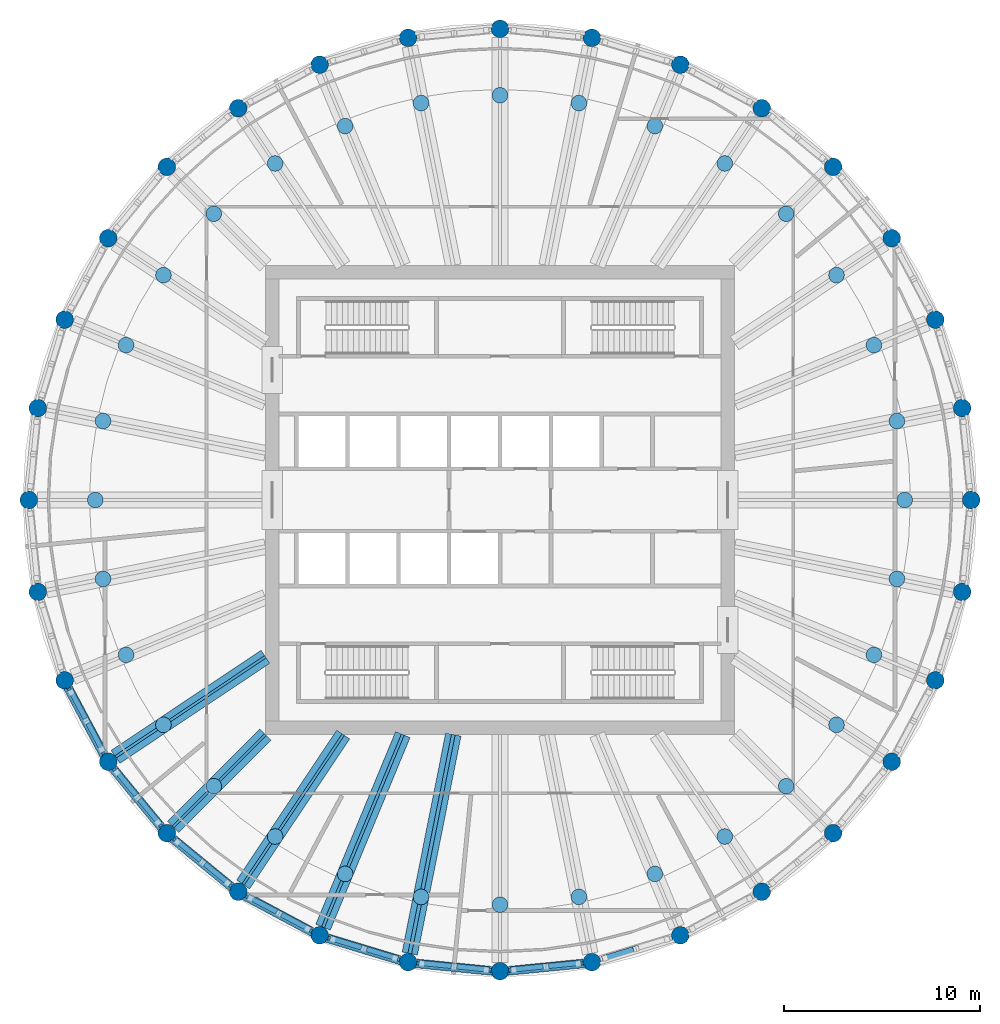
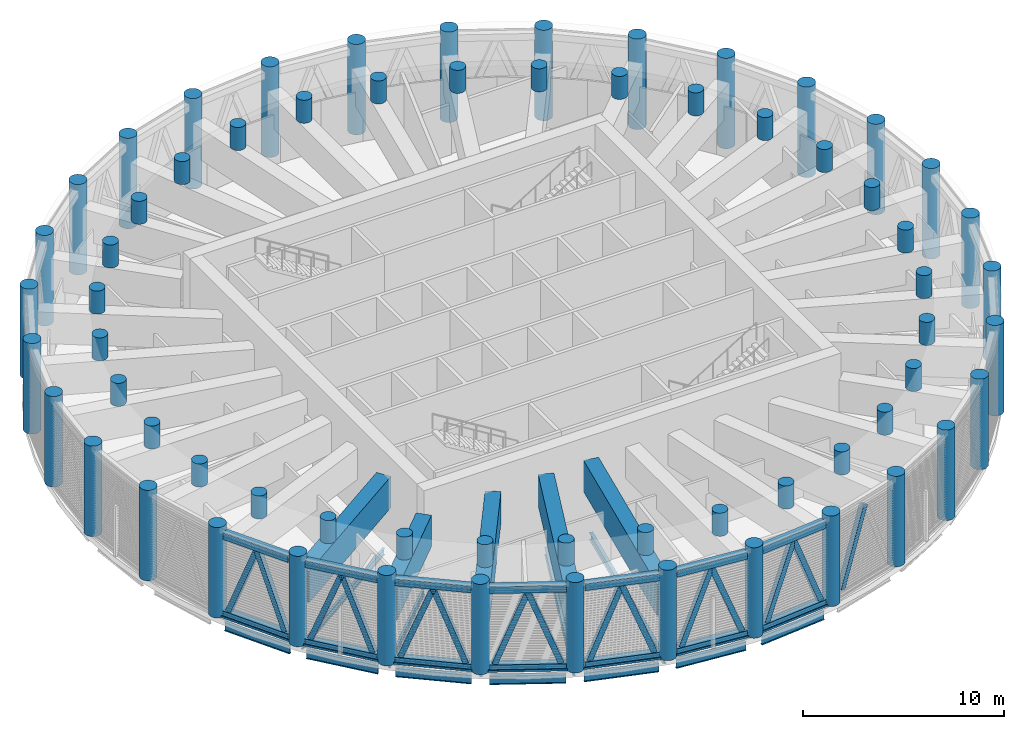
# One storey, part 1 of 19: 64 columns, 36 members, 17 beams, 7 elements without a shape of their own.
"""IFC4 building model written with IfcOpenShell, lengths in metres."""

from ifc_helpers import new_model, si_unit, direction, frame, origin, origin_2d, place, context, subcontext, project, spatial, rectangle, hollow_rectangle, circle, i_section, extrude, material, material_profile, profile_set, type_object, element, aggregate, save


model = new_model("IFC4")

# Units and contexts
model_context = context("Model", 3, precision=1e-05, world=origin(), true_north=direction((0.0, 1.0)))
body_context = subcontext(model_context, "Body", "Model", "MODEL_VIEW")
ifc_project = project(units=[si_unit("LENGTHUNIT", "METRE"), si_unit("AREAUNIT", "SQUARE_METRE"), si_unit("VOLUMEUNIT", "CUBIC_METRE"), si_unit("PLANEANGLEUNIT", "RADIAN"), si_unit("MASSUNIT", "GRAM", prefix="KILO")], contexts=[model_context])

# Site, building, storey
site_placement = place(None, origin())
site = spatial("IfcSite", under=ifc_project, at=site_placement, CompositionType="ELEMENT")
building_placement = place(site_placement, origin())
building = spatial("IfcBuilding", under=site, at=building_placement, Name="Corvane Civic Tower", CompositionType="ELEMENT")
storey_placement = place(building_placement, frame((0.0, 0.0, 319.0)))
storey = spatial("IfcBuildingStorey", under=building, at=storey_placement, Name="L76", CompositionType="ELEMENT", Elevation=319.0)

# Columns
ifc_material_1 = material(Name="Concrete C60/75", Category="concrete")
ifc_material_profile_1 = material_profile(ifc_material_1, circle(Radius=0.39990234375, at=origin_2d()), Name="COLUMN 800")
ifc_profile_set_1 = profile_set([ifc_material_profile_1], Name="Concrete C60/75")
column_type_1 = type_object("IfcColumnType", Name="RC COLUMN COLUMN 800", PredefinedType="COLUMN", material=ifc_profile_set_1)
for number, where, z_axis, x_axis, name in (
    (1, (0.0, 20.699951171875, 4.10009765625), (0.0, 0.0, 1.0), (1.0, 0.0, 0.0), "COL-L76-F01"),
    (2, (4.038330078125, 20.30224609375, 4.10009765625), (0.0, 0.0, 1.0), (1.0, 0.0, 0.0), "COL-L76-F02"),
    (3, (7.921630859375, 19.124267578125, 4.10009765625), (0.0, 0.0, 1.0), (1.0, 0.0, 0.0), "COL-L76-F03"),
    (4, (11.500244140625, 17.21142578125, 4.10009765625), (0.0, 0.0, 1.0), (1.0, 0.0, 0.0), "COL-L76-F04"),
    (5, (14.63720703125, 14.63720703125, 4.10009765625), (0.0, 0.0, 1.0), (1.0, 0.0, 0.0), "COL-L76-F05"),
    (6, (17.21142578125, 11.500244140625, 4.10009765625), (0.0, 0.0, 1.0), (1.0, 0.0, 0.0), "COL-L76-F06"),
    (7, (19.124267578125, 7.921630859375, 4.10009765625), (0.0, 0.0, 1.0), (1.0, 0.0, 0.0), "COL-L76-F07"),
    (8, (20.30224609375, 4.038330078125, 4.10009765625), (0.0, 0.0, 1.0), (1.0, 0.0, 0.0), "COL-L76-F08"),
    (9, (20.699951171875, 0.0, 4.10009765625), (0.0, 0.0, 1.0), (1.0, 0.0, 0.0), "COL-L76-F09"),
    (10, (20.30224609375, -4.038330078125, 4.10009765625), (0.0, 0.0, 1.0), (1.0, 0.0, 0.0), "COL-L76-F10"),
    (11, (19.124267578125, -7.921630859375, 4.10009765625), (0.0, 0.0, 1.0), (1.0, 0.0, 0.0), "COL-L76-F11"),
    (12, (17.21142578125, -11.500244140625, 4.10009765625), (0.0, 0.0, 1.0), (1.0, 0.0, 0.0), "COL-L76-F12"),
    (13, (14.63720703125, -14.63720703125, 4.10009765625), (0.0, 0.0, 1.0), (1.0, 0.0, 0.0), "COL-L76-F13"),
    (14, (11.500244140625, -17.21142578125, 4.10009765625), (0.0, 0.0, 1.0), (1.0, 0.0, 0.0), "COL-L76-F14"),
    (15, (7.921630859375, -19.124267578125, 4.10009765625), (0.0, 0.0, 1.0), (1.0, 0.0, 0.0), "COL-L76-F15"),
    (16, (4.038330078125, -20.30224609375, 4.10009765625), (0.0, 0.0, 1.0), (1.0, 0.0, 0.0), "COL-L76-F16"),
    (17, (0.0, -20.699951171875, 4.10009765625), (0.0, 0.0, 1.0), (1.0, 0.0, 0.0), "COL-L76-F17"),
    (18, (-4.038330078125, -20.30224609375, 4.10009765625), (0.0, 0.0, 1.0), (1.0, 0.0, 0.0), "COL-L76-F18"),
    (19, (-7.921630859375, -19.124267578125, 4.10009765625), (0.0, 0.0, 1.0), (1.0, 0.0, 0.0), "COL-L76-F19"),
    (20, (-11.500244140625, -17.21142578125, 4.10009765625), (0.0, 0.0, 1.0), (1.0, 0.0, 0.0), "COL-L76-F20"),
    (21, (-14.63720703125, -14.63720703125, 4.10009765625), (0.0, 0.0, 1.0), (1.0, 0.0, 0.0), "COL-L76-F21"),
    (22, (-17.21142578125, -11.500244140625, 4.10009765625), (0.0, 0.0, 1.0), (1.0, 0.0, 0.0), "COL-L76-F22"),
    (23, (-19.124267578125, -7.921630859375, 4.10009765625), (0.0, 0.0, 1.0), (1.0, 0.0, 0.0), "COL-L76-F23"),
    (24, (-20.30224609375, -4.038330078125, 4.10009765625), (0.0, 0.0, 1.0), (1.0, 0.0, 0.0), "COL-L76-F24"),
    (25, (-20.699951171875, 0.0, 4.10009765625), (0.0, 0.0, 1.0), (1.0, 0.0, 0.0), "COL-L76-F25"),
    (26, (-20.30224609375, 4.038330078125, 4.10009765625), (0.0, 0.0, 1.0), (1.0, 0.0, 0.0), "COL-L76-F26"),
    (27, (-19.124267578125, 7.921630859375, 4.10009765625), (0.0, 0.0, 1.0), (1.0, 0.0, 0.0), "COL-L76-F27"),
    (28, (-17.21142578125, 11.500244140625, 4.10009765625), (0.0, 0.0, 1.0), (1.0, 0.0, 0.0), "COL-L76-F28"),
    (29, (-14.63720703125, 14.63720703125, 4.10009765625), (0.0, 0.0, 1.0), (1.0, 0.0, 0.0), "COL-L76-F29"),
    (30, (-11.500244140625, 17.21142578125, 4.10009765625), (0.0, 0.0, 1.0), (1.0, 0.0, 0.0), "COL-L76-F30"),
    (31, (-7.921630859375, 19.124267578125, 4.10009765625), (0.0, 0.0, 1.0), (1.0, 0.0, 0.0), "COL-L76-F31"),
    (32, (-4.038330078125, 20.30224609375, 4.10009765625), (0.0, 0.0, 1.0), (1.0, 0.0, 0.0), "COL-L76-F32"),
):
    element("IfcColumn", number, at=place(storey_placement, frame(where, z_axis=z_axis, x_axis=x_axis)), inside=storey, type_object=column_type_1, Name=name, PredefinedType="COLUMN", context=body_context, shape_type="SweptSolid", body=[
        extrude(circle(Radius=0.39990234375, at=origin_2d()), origin(), (0.0, 0.0, 1.0), 1.39990234375),
    ])
ifc_material_2 = material(Name="Concrete C60/75", Category="concrete")
ifc_material_profile_2 = material_profile(ifc_material_2, circle(Radius=0.449951171875, at=origin_2d()), Name="COLUMN 900")
ifc_profile_set_2 = profile_set([ifc_material_profile_2], Name="Concrete C60/75")
column_type_2 = type_object("IfcColumnType", Name="RC COLUMN COLUMN 900", PredefinedType="COLUMN", material=ifc_profile_set_2)
for number, where, z_axis, x_axis, name in (
    (33, (0.0, 24.10009765625, 0.0), (0.0, 0.0, 1.0), (1.0, 0.0, 0.0), "COL-L76-E01"),
    (34, (4.70166015625, 23.636962890625, 0.0), (0.0, 0.0, 1.0), (1.0, 0.0, 0.0), "COL-L76-E02"),
    (35, (9.22265625, 22.265380859375, 0.0), (0.0, 0.0, 1.0), (1.0, 0.0, 0.0), "COL-L76-E03"),
    (36, (13.38916015625, 20.038330078125, 0.0), (0.0, 0.0, 1.0), (1.0, 0.0, 0.0), "COL-L76-E04"),
    (37, (17.041259765625, 17.041259765625, 0.0), (0.0, 0.0, 1.0), (1.0, 0.0, 0.0), "COL-L76-E05"),
    (38, (20.038330078125, 13.38916015625, 0.0), (0.0, 0.0, 1.0), (1.0, 0.0, 0.0), "COL-L76-E06"),
    (39, (22.265380859375, 9.22265625, 0.0), (0.0, 0.0, 1.0), (1.0, 0.0, 0.0), "COL-L76-E07"),
    (40, (23.636962890625, 4.70166015625, 0.0), (0.0, 0.0, 1.0), (1.0, 0.0, 0.0), "COL-L76-E08"),
    (41, (24.10009765625, 0.0, 0.0), (0.0, 0.0, 1.0), (1.0, 0.0, 0.0), "COL-L76-E09"),
    (42, (23.636962890625, -4.70166015625, 0.0), (0.0, 0.0, 1.0), (1.0, 0.0, 0.0), "COL-L76-E10"),
    (43, (22.265380859375, -9.22265625, 0.0), (0.0, 0.0, 1.0), (1.0, 0.0, 0.0), "COL-L76-E11"),
    (44, (20.038330078125, -13.38916015625, 0.0), (0.0, 0.0, 1.0), (1.0, 0.0, 0.0), "COL-L76-E12"),
    (45, (17.041259765625, -17.041259765625, 0.0), (0.0, 0.0, 1.0), (1.0, 0.0, 0.0), "COL-L76-E13"),
    (46, (13.38916015625, -20.038330078125, 0.0), (0.0, 0.0, 1.0), (1.0, 0.0, 0.0), "COL-L76-E14"),
    (47, (9.22265625, -22.265380859375, 0.0), (0.0, 0.0, 1.0), (1.0, 0.0, 0.0), "COL-L76-E15"),
    (48, (4.70166015625, -23.636962890625, 0.0), (0.0, 0.0, 1.0), (1.0, 0.0, 0.0), "COL-L76-E16"),
    (49, (0.0, -24.10009765625, 0.0), (0.0, 0.0, 1.0), (1.0, 0.0, 0.0), "COL-L76-E17"),
    (50, (-4.70166015625, -23.636962890625, 0.0), (0.0, 0.0, 1.0), (1.0, 0.0, 0.0), "COL-L76-E18"),
    (51, (-9.22265625, -22.265380859375, 0.0), (0.0, 0.0, 1.0), (1.0, 0.0, 0.0), "COL-L76-E19"),
    (52, (-13.38916015625, -20.038330078125, 0.0), (0.0, 0.0, 1.0), (1.0, 0.0, 0.0), "COL-L76-E20"),
    (53, (-17.041259765625, -17.041259765625, 0.0), (0.0, 0.0, 1.0), (1.0, 0.0, 0.0), "COL-L76-E21"),
    (54, (-20.038330078125, -13.38916015625, 0.0), (0.0, 0.0, 1.0), (1.0, 0.0, 0.0), "COL-L76-E22"),
    (55, (-22.265380859375, -9.22265625, 0.0), (0.0, 0.0, 1.0), (1.0, 0.0, 0.0), "COL-L76-E23"),
    (56, (-23.636962890625, -4.70166015625, 0.0), (0.0, 0.0, 1.0), (1.0, 0.0, 0.0), "COL-L76-E24"),
    (57, (-24.10009765625, 0.0, 0.0), (0.0, 0.0, 1.0), (1.0, 0.0, 0.0), "COL-L76-E25"),
    (58, (-23.636962890625, 4.70166015625, 0.0), (0.0, 0.0, 1.0), (1.0, 0.0, 0.0), "COL-L76-E26"),
    (59, (-22.265380859375, 9.22265625, 0.0), (0.0, 0.0, 1.0), (1.0, 0.0, 0.0), "COL-L76-E27"),
    (60, (-20.038330078125, 13.38916015625, 0.0), (0.0, 0.0, 1.0), (1.0, 0.0, 0.0), "COL-L76-E28"),
    (61, (-17.041259765625, 17.041259765625, 0.0), (0.0, 0.0, 1.0), (1.0, 0.0, 0.0), "COL-L76-E29"),
    (62, (-13.38916015625, 20.038330078125, 0.0), (0.0, 0.0, 1.0), (1.0, 0.0, 0.0), "COL-L76-E30"),
    (63, (-9.22265625, 22.265380859375, 0.0), (0.0, 0.0, 1.0), (1.0, 0.0, 0.0), "COL-L76-E31"),
    (64, (-4.70166015625, 23.636962890625, 0.0), (0.0, 0.0, 1.0), (1.0, 0.0, 0.0), "COL-L76-E32"),
):
    element("IfcColumn", number, at=place(storey_placement, frame(where, z_axis=z_axis, x_axis=x_axis)), inside=storey, type_object=column_type_2, Name=name, PredefinedType="COLUMN", context=body_context, shape_type="SweptSolid", body=[
        extrude(circle(Radius=0.449951171875, at=origin_2d()), origin(), (0.0, 0.0, 1.0), 5.5),
    ])

# Members
ifc_material_3 = material(Name="Steel ASTM A500 Gr C", Category="steel")
ifc_material_profile_3 = material_profile(ifc_material_3, hollow_rectangle(XDim=0.406494140625, YDim=0.406494140625, WallThickness=0.0146484375, at=origin_2d()), Name="HSS16X16X5/8")
ifc_profile_set_3 = profile_set([ifc_material_profile_3], Name="Steel ASTM A500 Gr C")
member_type_1 = type_object("IfcMemberType", Name="BELT CHORD HSS16X16X5/8", PredefinedType="CHORD", material=ifc_profile_set_3)
for number, where, z_axis, x_axis, name in (
    (65, (4.25390625, -23.68115234375, 4.94677734375), (-0.995187721162, -0.097986732007, 0.0), (0.097986732007, -0.995187721162, 0.0), "Belt truss BT-L76"),
    (66, (4.25390625, -23.68115234375, 0.203125), (-0.995187721162, -0.097986732007, 0.0), (0.097986732007, -0.995187721162, 0.0), "Belt truss BT-L76"),
    (67, (-0.44775390625, -24.055908203125, 4.94677734375), (-0.995187721162, 0.097986732007, 0.0), (-0.097986732007, -0.995187721162, 0.0), "Belt truss BT-L76"),
    (68, (-0.44775390625, -24.055908203125, 0.203125), (-0.995187721162, 0.097986732007, 0.0), (-0.097986732007, -0.995187721162, 0.0), "Belt truss BT-L76"),
    (69, (-5.13232421875, -23.50634765625, 4.94677734375), (-0.95692555902, 0.290333385085, 0.0), (-0.290333385085, -0.95692555902, 0.0), "Belt truss BT-L76"),
    (70, (-5.13232421875, -23.50634765625, 0.203125), (-0.95692555902, 0.290333385085, 0.0), (-0.290333385085, -0.95692555902, 0.0), "Belt truss BT-L76"),
):
    element("IfcMember", number, at=place(storey_placement, frame(where, z_axis=z_axis, x_axis=x_axis)), inside=storey, type_object=member_type_1, Name=name, PredefinedType="CHORD", context=body_context, shape_type="SweptSolid", body=[
        extrude(hollow_rectangle(XDim=0.406494140625, YDim=0.406494140625, WallThickness=0.0146484375, at=origin_2d()), origin(), (0.0, 0.0, 1.0), 3.824462890625),
    ])
for number, where, z_axis, x_axis, name in (
    (71, (-9.61962890625, -22.05322265625, 4.94677734375), (-0.881914279413, 0.471409804487, 0.0), (-0.471409804487, -0.881914279413, 0.0), "Belt truss BT-L76"),
    (72, (-9.61962890625, -22.05322265625, 0.203125), (-0.881914279413, 0.471409804487, 0.0), (-0.471409804487, -0.881914279413, 0.0), "Belt truss BT-L76"),
):
    element("IfcMember", number, at=place(storey_placement, frame(where, z_axis=z_axis, x_axis=x_axis)), inside=storey, type_object=member_type_1, Name=name, PredefinedType="CHORD", context=body_context, shape_type="SweptSolid", body=[
        extrude(hollow_rectangle(XDim=0.406494140625, YDim=0.406494140625, WallThickness=0.0146484375, at=origin_2d()), origin(), (0.0, 0.0, 1.0), 3.82421875),
    ])
for number, where, z_axis, x_axis, name in (
    (73, (-13.737060546875, -19.7529296875, 4.94677734375), (-0.772997914867, 0.634408562057, 0.0), (-0.634408562057, -0.772997914867, 0.0), "Belt truss BT-L76"),
    (74, (-13.737060546875, -19.7529296875, 0.203125), (-0.772997914867, 0.634408562057, 0.0), (-0.634408562057, -0.772997914867, 0.0), "Belt truss BT-L76"),
    (75, (-17.32666015625, -16.693359375, 4.94677734375), (-0.634408562057, 0.772997914867, 0.0), (-0.772997914867, -0.634408562057, 0.0), "Belt truss BT-L76"),
    (76, (-17.32666015625, -16.693359375, 0.203125), (-0.634408562057, 0.772997914867, 0.0), (-0.772997914867, -0.634408562057, 0.0), "Belt truss BT-L76"),
):
    element("IfcMember", number, at=place(storey_placement, frame(where, z_axis=z_axis, x_axis=x_axis)), inside=storey, type_object=member_type_1, Name=name, PredefinedType="CHORD", context=body_context, shape_type="SweptSolid", body=[
        extrude(hollow_rectangle(XDim=0.406494140625, YDim=0.406494140625, WallThickness=0.0146484375, at=origin_2d()), origin(), (0.0, 0.0, 1.0), 3.824462890625),
    ])
for number, where, z_axis, x_axis, name in (
    (77, (-20.25048828125, -12.9921875, 4.94677734375), (-0.471409804487, 0.881914279413, 0.0), (-0.881914279413, -0.471409804487, 0.0), "Belt truss BT-L76"),
    (78, (-20.25048828125, -12.9921875, 0.203125), (-0.471409804487, 0.881914279413, 0.0), (-0.881914279413, -0.471409804487, 0.0), "Belt truss BT-L76"),
):
    element("IfcMember", number, at=place(storey_placement, frame(where, z_axis=z_axis, x_axis=x_axis)), inside=storey, type_object=member_type_1, Name=name, PredefinedType="CHORD", context=body_context, shape_type="SweptSolid", body=[
        extrude(hollow_rectangle(XDim=0.406494140625, YDim=0.406494140625, WallThickness=0.0146484375, at=origin_2d()), origin(), (0.0, 0.0, 1.0), 3.82421875),
    ])
ifc_material_4 = material(Name="Steel ASTM A500 Gr C", Category="steel")
ifc_material_profile_4 = material_profile(ifc_material_4, hollow_rectangle(XDim=0.3046875, YDim=0.3046875, WallThickness=0.01171875, at=origin_2d()), Name="HSS12X12X1/2")
ifc_profile_set_4 = profile_set([ifc_material_profile_4], Name="Steel ASTM A500 Gr C")
member_type_2 = type_object("IfcMemberType", Name="BELT DIAGONAL HSS12X12X1/2", PredefinedType="BRACE", material=ifc_profile_set_4)
for number, where, z_axis, x_axis, name in (
    (79, (5.37158203125, -23.433837890625, 0.406494140625), (0.34244493108, 0.103916136415, 0.93377347669), (-0.29037833686, 0.956911919396, 0.0), "Belt truss BT-L76"),
    (80, (4.005126953125, -23.70556640625, 0.406494140625), (-0.356161140311, -0.035058955222, 0.933766625978), (0.097962193234, -0.995190136957, 0.0), "Belt truss BT-L76"),
    (81, (0.696533203125, -24.031494140625, 0.406494140625), (0.356160483497, 0.035111452623, 0.933764903972), (-0.098107650498, 0.995175808043, 0.0), "Belt truss BT-L76"),
    (82, (-0.696533203125, -24.031494140625, 0.406494140625), (-0.356160483497, 0.035111452623, 0.933764903972), (-0.098107650498, -0.995175808043, 0.0), "Belt truss BT-L76"),
    (83, (-4.005126953125, -23.70556640625, 0.406494140625), (0.356161140311, -0.035058955222, 0.933766625978), (0.097962193234, 0.995190136957, 0.0), "Belt truss BT-L76"),
    (84, (-5.37158203125, -23.433837890625, 0.406494140625), (-0.34244493108, 0.103916136415, 0.93377347669), (-0.29037833686, -0.956911919396, 0.0), "Belt truss BT-L76"),
    (85, (-8.552734375, -22.468505859375, 0.406494140625), (0.34244493108, -0.103916136415, 0.93377347669), (0.29037833686, 0.956911919396, 0.0), "Belt truss BT-L76"),
    (86, (-9.840087890625, -21.935302734375, 0.406494140625), (-0.315588987007, 0.168675059844, 0.933783869783), (-0.471373331446, -0.881933774385, 0.0), "Belt truss BT-L76"),
    (87, (-12.771728515625, -20.368408203125, 0.406494140625), (0.315588987007, -0.168675059844, 0.933783869783), (0.471373331446, 0.881933774385, 0.0), "Belt truss BT-L76"),
    (88, (-13.93017578125, -19.59423828125, 0.406494140625), (-0.27668548819, 0.227014556134, 0.933760960808), (-0.634300857687, -0.773086296565, 0.0), "Belt truss BT-L76"),
    (89, (-16.500244140625, -17.4853515625, 0.406494140625), (0.276636949162, -0.227017857387, 0.93377453959), (0.634372880168, 0.773027198038, 0.0), "Belt truss BT-L76"),
    (90, (-17.4853515625, -16.500244140625, 0.406494140625), (-0.227017857387, 0.276636949162, 0.93377453959), (-0.773027198038, -0.634372880168, 0.0), "Belt truss BT-L76"),
    (91, (-19.59423828125, -13.93017578125, 0.406494140625), (0.227014556134, -0.27668548819, 0.933760960808), (0.773086296565, 0.634300857687, 0.0), "Belt truss BT-L76"),
    (92, (-20.368408203125, -12.771728515625, 0.406494140625), (-0.168675059844, 0.315588987007, 0.933783869783), (-0.881933774385, -0.471373331446, 0.0), "Belt truss BT-L76"),
    (93, (-21.935302734375, -9.840087890625, 0.406494140625), (0.168675059844, -0.315588987007, 0.933783869783), (0.881933774385, 0.471373331446, 0.0), "Belt truss BT-L76"),
):
    element("IfcMember", number, at=place(storey_placement, frame(where, z_axis=z_axis, x_axis=x_axis)), inside=storey, type_object=member_type_2, Name=name, PredefinedType="BRACE", context=body_context, shape_type="SweptSolid", body=[
        extrude(hollow_rectangle(XDim=0.3046875, YDim=0.3046875, WallThickness=0.01171875, at=origin_2d()), origin(), (0.0, 0.0, 1.0), 4.644775390625),
    ])

# Beams
ifc_material_5 = material(Name="Steel ASTM A992 Gr 50", Category="steel")
ifc_material_profile_5 = material_profile(ifc_material_5, i_section(OverallWidth=0.165771484375, OverallDepth=0.5283203125, WebThickness=0.009765625, FlangeThickness=0.013671875, at=origin_2d()), Name="W21X50")
ifc_profile_set_5 = profile_set([ifc_material_profile_5], Name="Steel ASTM A992 Gr 50")
beam_type_1 = type_object("IfcBeamType", Name="EDGE BEAM W21X50", PredefinedType="BEAM", material=ifc_profile_set_5)
for number, where, z_axis, x_axis, name in (
    (94, (4.25390625, -23.68115234375, -0.6142578125), (-0.995187721162, -0.097986732007, 0.0), (0.097986732007, -0.995187721162, 0.0), "BM-L76-E16"),
    (95, (-0.44775390625, -24.055908203125, -0.6142578125), (-0.995187721162, 0.097986732007, 0.0), (-0.097986732007, -0.995187721162, 0.0), "BM-L76-E17"),
    (96, (-5.13232421875, -23.50634765625, -0.6142578125), (-0.95692555902, 0.290333385085, 0.0), (-0.290333385085, -0.95692555902, 0.0), "BM-L76-E18"),
):
    element("IfcBeam", number, at=place(storey_placement, frame(where, z_axis=z_axis, x_axis=x_axis)), inside=storey, type_object=beam_type_1, Name=name, PredefinedType="BEAM", context=body_context, shape_type="SweptSolid", body=[
        extrude(i_section(OverallWidth=0.165771484375, OverallDepth=0.5283203125, WebThickness=0.009765625, FlangeThickness=0.013671875, at=origin_2d()), origin(), (0.0, 0.0, 1.0), 3.824462890625),
    ])
beam_1_placement = place(storey_placement, frame((-9.61962890625, -22.05322265625, -0.6142578125), z_axis=(-0.881914279413, 0.471409804487, 0.0), x_axis=(-0.471409804487, -0.881914279413, 0.0)))
element("IfcBeam", 97, at=beam_1_placement, inside=storey, type_object=beam_type_1, Name="BM-L76-E19", PredefinedType="BEAM", context=body_context, shape_type="SweptSolid", body=[
    extrude(i_section(OverallWidth=0.165771484375, OverallDepth=0.5283203125, WebThickness=0.009765625, FlangeThickness=0.013671875, at=origin_2d()), origin(), (0.0, 0.0, 1.0), 3.82421875),
])
for number, where, z_axis, x_axis, name in (
    (98, (-13.737060546875, -19.7529296875, -0.6142578125), (-0.772997914867, 0.634408562057, 0.0), (-0.634408562057, -0.772997914867, 0.0), "BM-L76-E20"),
    (99, (-17.32666015625, -16.693359375, -0.6142578125), (-0.634408562057, 0.772997914867, 0.0), (-0.772997914867, -0.634408562057, 0.0), "BM-L76-E21"),
):
    element("IfcBeam", number, at=place(storey_placement, frame(where, z_axis=z_axis, x_axis=x_axis)), inside=storey, type_object=beam_type_1, Name=name, PredefinedType="BEAM", context=body_context, shape_type="SweptSolid", body=[
        extrude(i_section(OverallWidth=0.165771484375, OverallDepth=0.5283203125, WebThickness=0.009765625, FlangeThickness=0.013671875, at=origin_2d()), origin(), (0.0, 0.0, 1.0), 3.824462890625),
    ])
beam_2_placement = place(storey_placement, frame((-20.25048828125, -12.9921875, -0.6142578125), z_axis=(-0.471409804487, 0.881914279413, 0.0), x_axis=(-0.881914279413, -0.471409804487, 0.0)))
element("IfcBeam", 100, at=beam_2_placement, inside=storey, type_object=beam_type_1, Name="BM-L76-E22", PredefinedType="BEAM", context=body_context, shape_type="SweptSolid", body=[
    extrude(i_section(OverallWidth=0.165771484375, OverallDepth=0.5283203125, WebThickness=0.009765625, FlangeThickness=0.013671875, at=origin_2d()), origin(), (0.0, 0.0, 1.0), 3.82421875),
])
ifc_material_6 = material(Name="Steel ASTM A992 Gr 50", Category="steel")
ifc_material_profile_6 = material_profile(ifc_material_6, i_section(OverallWidth=0.140380859375, OverallDepth=0.40380859375, WebThickness=0.007080078125, FlangeThickness=0.01123046875, at=origin_2d()), Name="W16X31")
ifc_profile_set_6 = profile_set([ifc_material_profile_6], Name="Steel ASTM A992 Gr 50")
beam_type_2 = type_object("IfcBeamType", Name="FLOOR GIRDER W16X31", PredefinedType="BEAM", material=ifc_profile_set_6)
beam_3_placement = place(storey_placement, frame((-8.01806640625, -12.0, -0.552001953125), z_axis=(-0.555567816355, -0.831471227061, 0.0), x_axis=(0.831471227061, -0.555567816355, 0.0)))
element("IfcBeam", 101, at=beam_3_placement, inside=storey, type_object=beam_type_2, Name="BM-L76-G20", PredefinedType="BEAM", context=body_context, shape_type="SweptSolid", body=[
    extrude(i_section(OverallWidth=0.140380859375, OverallDepth=0.40380859375, WebThickness=0.007080078125, FlangeThickness=0.01123046875, at=origin_2d()), origin(), (0.0, 0.0, 1.0), 9.2177734375),
])
beam_4_placement = place(storey_placement, frame((-12.0, -12.0, -0.552001953125), z_axis=(-0.707106781187, -0.707106781187, 0.0), x_axis=(0.707106781187, -0.707106781187, 0.0)))
element("IfcBeam", 102, at=beam_4_placement, inside=storey, type_object=beam_type_2, Name="BM-L76-G21", PredefinedType="BEAM", context=body_context, shape_type="SweptSolid", body=[
    extrude(i_section(OverallWidth=0.140380859375, OverallDepth=0.40380859375, WebThickness=0.007080078125, FlangeThickness=0.01123046875, at=origin_2d()), origin(), (0.0, 0.0, 1.0), 6.679443359375),
])
beam_5_placement = place(storey_placement, frame((-12.0, -8.01806640625, -0.552001953125), z_axis=(-0.831471227061, -0.555567816355, 0.0), x_axis=(0.555567816355, -0.831471227061, 0.0)))
element("IfcBeam", 103, at=beam_5_placement, inside=storey, type_object=beam_type_2, Name="BM-L76-G22", PredefinedType="BEAM", context=body_context, shape_type="SweptSolid", body=[
    extrude(i_section(OverallWidth=0.140380859375, OverallDepth=0.40380859375, WebThickness=0.007080078125, FlangeThickness=0.01123046875, at=origin_2d()), origin(), (0.0, 0.0, 1.0), 9.2177734375),
])
ifc_material_7 = material(Name="Steel ASTM A992 Gr 50", Category="steel")
ifc_material_profile_7 = material_profile(ifc_material_7, i_section(OverallWidth=0.15283203125, OverallDepth=0.45458984375, WebThickness=0.008056640625, FlangeThickness=0.013427734375, at=origin_2d()), Name="W18X40")
ifc_profile_set_7 = profile_set([ifc_material_profile_7], Name="Steel ASTM A992 Gr 50")
beam_type_3 = type_object("IfcBeamType", Name="FLOOR GIRDER W18X40", PredefinedType="BEAM", material=ifc_profile_set_7)
beam_6_placement = place(storey_placement, frame((-4.970458984375, -12.0, -0.577392578125), z_axis=(-0.382694257331, -0.923875048589, 0.0), x_axis=(0.923875048589, -0.382694257331, 0.0)))
element("IfcBeam", 104, at=beam_6_placement, inside=storey, type_object=beam_type_3, Name="BM-L76-G19", PredefinedType="BEAM", context=body_context, shape_type="SweptSolid", body=[
    extrude(i_section(OverallWidth=0.15283203125, OverallDepth=0.45458984375, WebThickness=0.008056640625, FlangeThickness=0.013427734375, at=origin_2d()), origin(), (0.0, 0.0, 1.0), 10.661376953125),
])
ifc_material_8 = material(Name="Steel ASTM A992 Gr 50", Category="steel")
ifc_material_profile_8 = material_profile(ifc_material_8, i_section(OverallWidth=0.1904296875, OverallDepth=0.457275390625, WebThickness=0.009033203125, FlangeThickness=0.014404296875, at=origin_2d()), Name="W18X50")
ifc_profile_set_8 = profile_set([ifc_material_profile_8], Name="Steel ASTM A992 Gr 50")
beam_type_4 = type_object("IfcBeamType", Name="FLOOR GIRDER W18X50", PredefinedType="BEAM", material=ifc_profile_set_8)
beam_7_placement = place(storey_placement, frame((-2.386962890625, -12.0, -0.57861328125), z_axis=(-0.195079532402, -0.980787426529, 0.0), x_axis=(0.980787426529, -0.195079532402, 0.0)))
element("IfcBeam", 105, at=beam_7_placement, inside=storey, type_object=beam_type_4, Name="BM-L76-G18", PredefinedType="BEAM", context=body_context, shape_type="SweptSolid", body=[
    extrude(i_section(OverallWidth=0.1904296875, OverallDepth=0.457275390625, WebThickness=0.009033203125, FlangeThickness=0.014404296875, at=origin_2d()), origin(), (0.0, 0.0, 1.0), 11.414794921875),
])

# Curtain wall, member
ifc_material_9 = material(Name="Anodised aluminium bronze", Category="aluminium")
curtain_wall_type = type_object("IfcCurtainWallType", Name="TOWER CW-LV LOUVRE SCREEN WALL", PredefinedType="NOTDEFINED", material=ifc_material_9)
curtain_wall_1_placement = place(storey_placement, origin())
curtain_wall_1 = element("IfcCurtainWall", 106, at=curtain_wall_1_placement, inside=storey, type_object=curtain_wall_type, Name="Louvre screen wall CW-LV L76 bay 16", PredefinedType="NOTDEFINED")
ifc_material_10 = material(Name="Anodised aluminium bronze", Category="aluminium")
ifc_material_profile_9 = material_profile(ifc_material_10, rectangle(XDim=0.139892578125, YDim=0.1201171875, at=origin_2d()), Name="TOWER CW-LV TRANSOM 140x120")
ifc_profile_set_9 = profile_set([ifc_material_profile_9], Name="Anodised aluminium bronze")
member_type_3 = type_object("IfcMemberType", Name="TOWER CW-LV TRANSOM 140x120", PredefinedType="USERDEFINED", material=ifc_profile_set_9)
member_1_placement = place(storey_placement, frame((4.338134765625, -23.852783203125, 0.06005859375), z_axis=(-0.995186866683, -0.097995409999, 0.0), x_axis=(0.097995409999, -0.995186866683, 0.0)))
member_1 = element("IfcMember", 107, at=member_1_placement, type_object=member_type_3, Name="Transom CW-LV L76 16.1", ObjectType="TRANSOM", PredefinedType="USERDEFINED", context=body_context, shape_type="SweptSolid", body=[
    extrude(rectangle(XDim=0.139892578125, YDim=0.1201171875, at=origin_2d()), origin(), (0.0, 0.0, 1.0), 3.958740234375),
])
aggregate(curtain_wall_1, [member_1])

curtain_wall_2_placement = place(storey_placement, origin())
curtain_wall_2 = element("IfcCurtainWall", 108, at=curtain_wall_2_placement, inside=storey, type_object=curtain_wall_type, Name="Louvre screen wall CW-LV L76 bay 17", PredefinedType="NOTDEFINED")
member_2_placement = place(storey_placement, frame((-0.3984375, -24.24072265625, 0.06005859375), z_axis=(-0.995186866683, 0.097995409999, 0.0), x_axis=(-0.097995409999, -0.995186866683, 0.0)))
member_2 = element("IfcMember", 109, at=member_2_placement, type_object=member_type_3, Name="Transom CW-LV L76 17.1", ObjectType="TRANSOM", PredefinedType="USERDEFINED", context=body_context, shape_type="SweptSolid", body=[
    extrude(rectangle(XDim=0.139892578125, YDim=0.1201171875, at=origin_2d()), origin(), (0.0, 0.0, 1.0), 3.958740234375),
])
aggregate(curtain_wall_2, [member_2])

curtain_wall_3_placement = place(storey_placement, origin())
curtain_wall_3 = element("IfcCurtainWall", 110, at=curtain_wall_3_placement, inside=storey, type_object=curtain_wall_type, Name="Louvre screen wall CW-LV L76 bay 18", PredefinedType="NOTDEFINED")
member_3_placement = place(storey_placement, frame((-5.119873046875, -23.697265625, 0.06005859375), z_axis=(-0.956946054205, 0.290265825309, 0.0), x_axis=(-0.290265825309, -0.956946054205, 0.0)))
member_3 = element("IfcMember", 111, at=member_3_placement, type_object=member_type_3, Name="Transom CW-LV L76 18.1", ObjectType="TRANSOM", PredefinedType="USERDEFINED", context=body_context, shape_type="SweptSolid", body=[
    extrude(rectangle(XDim=0.139892578125, YDim=0.1201171875, at=origin_2d()), origin(), (0.0, 0.0, 1.0), 3.958984375),
])
aggregate(curtain_wall_3, [member_3])

curtain_wall_4_placement = place(storey_placement, origin())
curtain_wall_4 = element("IfcCurtainWall", 112, at=curtain_wall_4_placement, inside=storey, type_object=curtain_wall_type, Name="Louvre screen wall CW-LV L76 bay 19", PredefinedType="NOTDEFINED")
member_4_placement = place(storey_placement, frame((-9.644775390625, -22.2431640625, 0.06005859375), z_axis=(-0.881883040816, 0.471468241052, 0.0), x_axis=(-0.471468241052, -0.881883040816, 0.0)))
member_4 = element("IfcMember", 113, at=member_4_placement, type_object=member_type_3, Name="Transom CW-LV L76 19.1", ObjectType="TRANSOM", PredefinedType="USERDEFINED", context=body_context, shape_type="SweptSolid", body=[
    extrude(rectangle(XDim=0.139892578125, YDim=0.1201171875, at=origin_2d()), origin(), (0.0, 0.0, 1.0), 3.958740234375),
])
aggregate(curtain_wall_4, [member_4])

curtain_wall_5_placement = place(storey_placement, origin())
curtain_wall_5 = element("IfcCurtainWall", 114, at=curtain_wall_5_placement, inside=storey, type_object=curtain_wall_type, Name="Louvre screen wall CW-LV L76 bay 20", PredefinedType="NOTDEFINED")
member_5_placement = place(storey_placement, frame((-13.798828125, -19.93408203125, 0.06005859375), z_axis=(-0.772991943051, 0.634415838373, 0.0), x_axis=(-0.634415838373, -0.772991943051, 0.0)))
member_5 = element("IfcMember", 115, at=member_5_placement, type_object=member_type_3, Name="Transom CW-LV L76 20.1", ObjectType="TRANSOM", PredefinedType="USERDEFINED", context=body_context, shape_type="SweptSolid", body=[
    extrude(rectangle(XDim=0.139892578125, YDim=0.1201171875, at=origin_2d()), origin(), (0.0, 0.0, 1.0), 3.958740234375),
])
aggregate(curtain_wall_5, [member_5])

curtain_wall_6_placement = place(storey_placement, origin())
curtain_wall_6 = element("IfcCurtainWall", 116, at=curtain_wall_6_placement, inside=storey, type_object=curtain_wall_type, Name="Louvre screen wall CW-LV L76 bay 21", PredefinedType="NOTDEFINED")
member_6_placement = place(storey_placement, frame((-17.422607421875, -16.85888671875, 0.06005859375), z_axis=(-0.634415838373, 0.772991943051, 0.0), x_axis=(-0.772991943051, -0.634415838373, 0.0)))
member_6 = element("IfcMember", 117, at=member_6_placement, type_object=member_type_3, Name="Transom CW-LV L76 21.1", ObjectType="TRANSOM", PredefinedType="USERDEFINED", context=body_context, shape_type="SweptSolid", body=[
    extrude(rectangle(XDim=0.139892578125, YDim=0.1201171875, at=origin_2d()), origin(), (0.0, 0.0, 1.0), 3.958740234375),
])
aggregate(curtain_wall_6, [member_6])

curtain_wall_7_placement = place(storey_placement, origin())
curtain_wall_7 = element("IfcCurtainWall", 118, at=curtain_wall_7_placement, inside=storey, type_object=curtain_wall_type, Name="Louvre screen wall CW-LV L76 bay 22", PredefinedType="NOTDEFINED")
member_7_placement = place(storey_placement, frame((-20.376708984375, -13.135986328125, 0.06005859375), z_axis=(-0.471468241052, 0.881883040816, 0.0), x_axis=(-0.881883040816, -0.471468241052, 0.0)))
member_7 = element("IfcMember", 119, at=member_7_placement, type_object=member_type_3, Name="Transom CW-LV L76 22.1", ObjectType="TRANSOM", PredefinedType="USERDEFINED", context=body_context, shape_type="SweptSolid", body=[
    extrude(rectangle(XDim=0.139892578125, YDim=0.1201171875, at=origin_2d()), origin(), (0.0, 0.0, 1.0), 3.958740234375),
])
aggregate(curtain_wall_7, [member_7])

# Beams
ifc_material_11 = material(Name="Steel ASTM A572 Gr 50", Category="steel")
ifc_material_profile_10 = material_profile(ifc_material_11, hollow_rectangle(XDim=0.800048828125, YDim=1.89990234375, WallThickness=0.050048828125, at=origin_2d()), Name="BOX1900X800X50")
ifc_profile_set_10 = profile_set([ifc_material_profile_10], Name="Steel ASTM A572 Gr 50")
beam_type_5 = type_object("IfcBeamType", Name="TRANSFER GIRDER BOX1900X800X50", PredefinedType="BEAM", material=ifc_profile_set_10)
beam_8_placement = place(storey_placement, frame((-2.386962890625, -12.0, 3.14990234375), z_axis=(-0.195079532402, -0.980787426529, 0.0), x_axis=(0.980787426529, -0.195079532402, 0.0)))
element("IfcBeam", 120, at=beam_8_placement, inside=storey, type_object=beam_type_5, Name="Transfer girder TG-L76-18", PredefinedType="BEAM", context=body_context, shape_type="SweptSolid", body=[
    extrude(hollow_rectangle(XDim=0.800048828125, YDim=1.89990234375, WallThickness=0.050048828125, at=origin_2d()), origin(), (0.0, 0.0, 1.0), 11.414794921875),
])
beam_9_placement = place(storey_placement, frame((-4.970458984375, -12.0, 3.14990234375), z_axis=(-0.382694257331, -0.923875048589, 0.0), x_axis=(0.923875048589, -0.382694257331, 0.0)))
element("IfcBeam", 121, at=beam_9_placement, inside=storey, type_object=beam_type_5, Name="Transfer girder TG-L76-19", PredefinedType="BEAM", context=body_context, shape_type="SweptSolid", body=[
    extrude(hollow_rectangle(XDim=0.800048828125, YDim=1.89990234375, WallThickness=0.050048828125, at=origin_2d()), origin(), (0.0, 0.0, 1.0), 10.661376953125),
])
beam_10_placement = place(storey_placement, frame((-8.01806640625, -12.0, 3.14990234375), z_axis=(-0.555567816355, -0.831471227061, 0.0), x_axis=(0.831471227061, -0.555567816355, 0.0)))
element("IfcBeam", 122, at=beam_10_placement, inside=storey, type_object=beam_type_5, Name="Transfer girder TG-L76-20", PredefinedType="BEAM", context=body_context, shape_type="SweptSolid", body=[
    extrude(hollow_rectangle(XDim=0.800048828125, YDim=1.89990234375, WallThickness=0.050048828125, at=origin_2d()), origin(), (0.0, 0.0, 1.0), 9.2177734375),
])
beam_11_placement = place(storey_placement, frame((-12.0, -12.0, 3.14990234375), z_axis=(-0.707106781187, -0.707106781187, 0.0), x_axis=(0.707106781187, -0.707106781187, 0.0)))
element("IfcBeam", 123, at=beam_11_placement, inside=storey, type_object=beam_type_5, Name="Transfer girder TG-L76-21", PredefinedType="BEAM", context=body_context, shape_type="SweptSolid", body=[
    extrude(hollow_rectangle(XDim=0.800048828125, YDim=1.89990234375, WallThickness=0.050048828125, at=origin_2d()), origin(), (0.0, 0.0, 1.0), 6.679443359375),
])
beam_12_placement = place(storey_placement, frame((-12.0, -8.01806640625, 3.14990234375), z_axis=(-0.831471227061, -0.555567816355, 0.0), x_axis=(0.555567816355, -0.831471227061, 0.0)))
element("IfcBeam", 124, at=beam_12_placement, inside=storey, type_object=beam_type_5, Name="Transfer girder TG-L76-22", PredefinedType="BEAM", context=body_context, shape_type="SweptSolid", body=[
    extrude(hollow_rectangle(XDim=0.800048828125, YDim=1.89990234375, WallThickness=0.050048828125, at=origin_2d()), origin(), (0.0, 0.0, 1.0), 9.2177734375),
])

save(model, "model.ifc")
